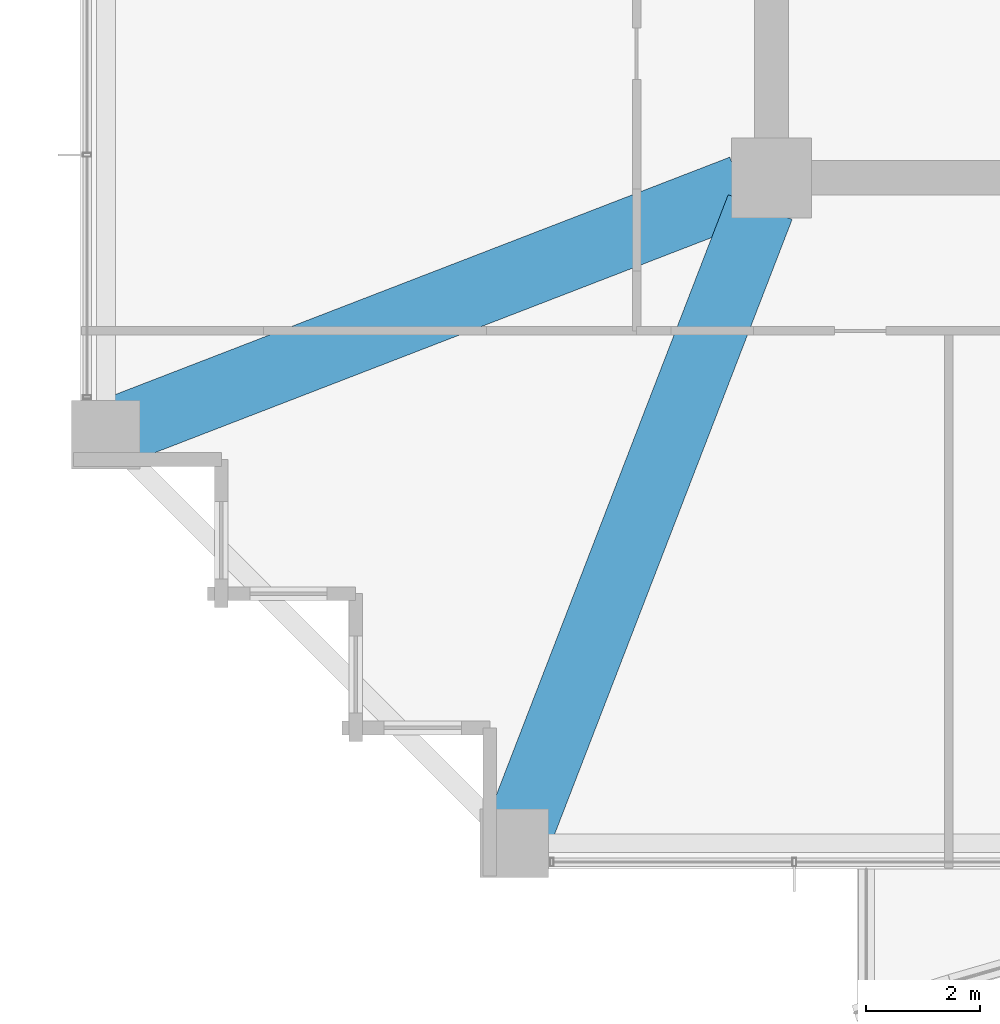
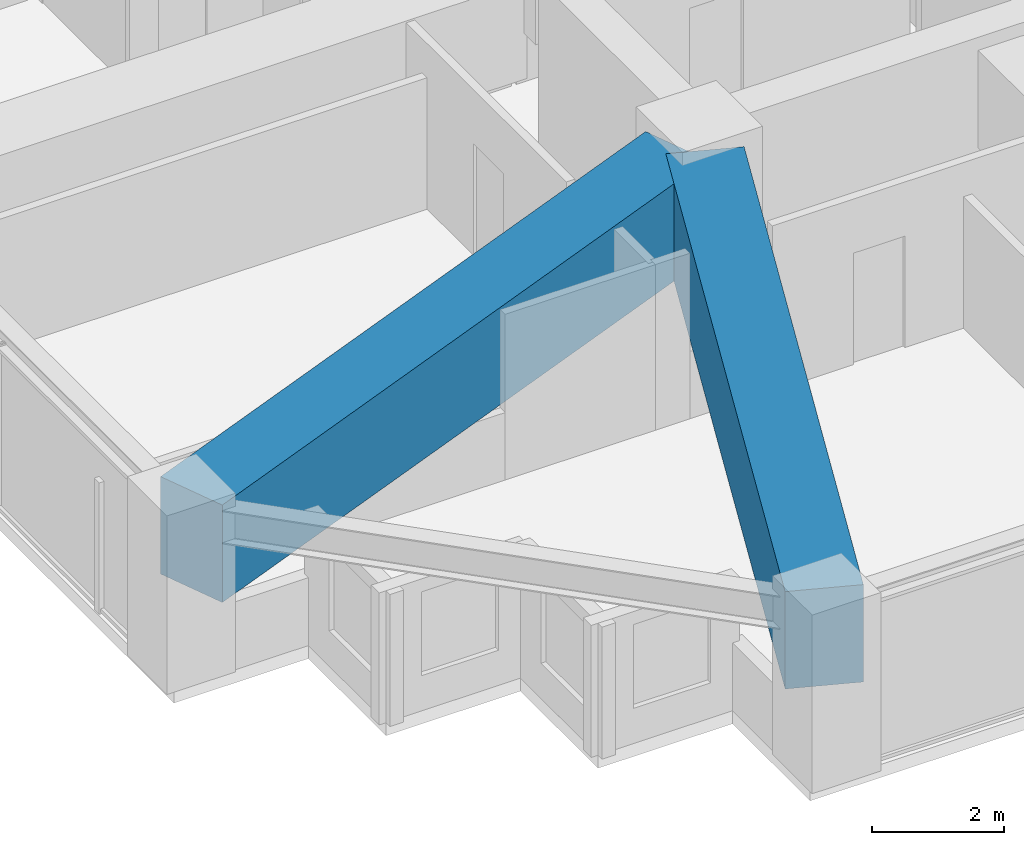
# One storey, part 4 of 37: 2 beams.
"""IFC4 building model written with IfcOpenShell, lengths in metres."""

from ifc_helpers import new_model, si_unit, direction, frame, origin, origin_2d, place, context, subcontext, project, spatial, rectangle, extrude, material, material_profile, profile_set, type_object, element, save


model = new_model("IFC4")

# Units and contexts
model_context = context("Model", 3, precision=1e-05, world=origin(), true_north=direction((0.0, 1.0)))
body_context = subcontext(model_context, "Body", "Model", "MODEL_VIEW")
ifc_project = project(units=[si_unit("LENGTHUNIT", "METRE"), si_unit("AREAUNIT", "SQUARE_METRE"), si_unit("VOLUMEUNIT", "CUBIC_METRE"), si_unit("PLANEANGLEUNIT", "RADIAN"), si_unit("MASSUNIT", "GRAM", prefix="KILO")], contexts=[model_context])

# Site, building, storey
site_placement = place(None, origin())
site = spatial("IfcSite", under=ifc_project, at=site_placement, CompositionType="ELEMENT")
building_placement = place(site_placement, origin())
building = spatial("IfcBuilding", under=site, at=building_placement, Name="Kolvaren Belvedere", CompositionType="ELEMENT")
storey_placement = place(building_placement, frame((0.0, 0.0, 56.800048828125)))
storey = spatial("IfcBuildingStorey", under=building, at=storey_placement, Name="L16", CompositionType="ELEMENT", Elevation=56.800048828125)

# Beams
ifc_material = material(Name="Concrete C50/60", Category="concrete")
ifc_material_profile = material_profile(ifc_material, rectangle(XDim=1.199951171875, YDim=1.800048828125, at=origin_2d()), Name="RC 1200X1800")
ifc_profile_set = profile_set([ifc_material_profile], Name="Concrete C50/60")
beam_type = type_object("IfcBeamType", Name="BM-TG-1800", PredefinedType="BEAM", material=ifc_profile_set)
for number, where, z_axis, x_axis, name in (
    (1, (-10.09814453125, -10.4130859375, 2.159912109375), (-0.360318391835, -0.932829382313, 0.0), (0.932829382313, -0.360318391835, 0.0), "L16 Corner Core-to-Perimeter Girder CC1-S1"),
    (2, (-10.4130859375, -10.09814453125, 2.159912109375), (-0.932829382313, -0.360318391835, 0.0), (0.360318391835, -0.932829382313, 0.0), "L16 Corner Core-to-Perimeter Girder CC1-W1"),
):
    element("IfcBeam", number, at=place(storey_placement, frame(where, z_axis=z_axis, x_axis=x_axis)), inside=storey, type_object=beam_type, Name=name, PredefinedType="BEAM", context=body_context, shape_type="SweptSolid", body=[
        extrude(rectangle(XDim=1.199951171875, YDim=1.800048828125, at=origin_2d()), origin(), (0.0, 0.0, 1.0), 11.698974609375),
    ])

save(model, "model.ifc")
